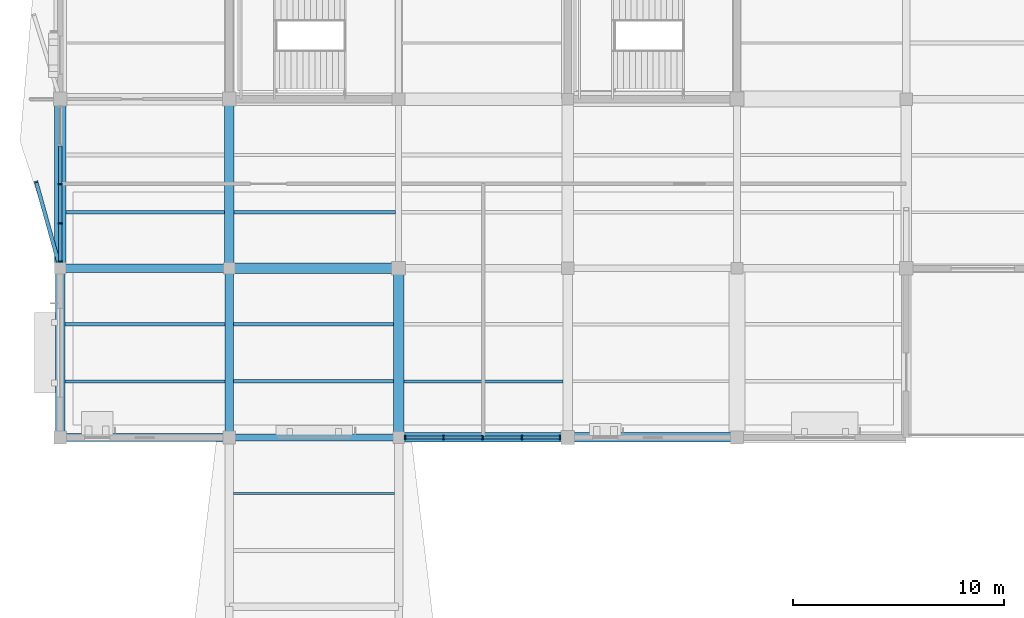
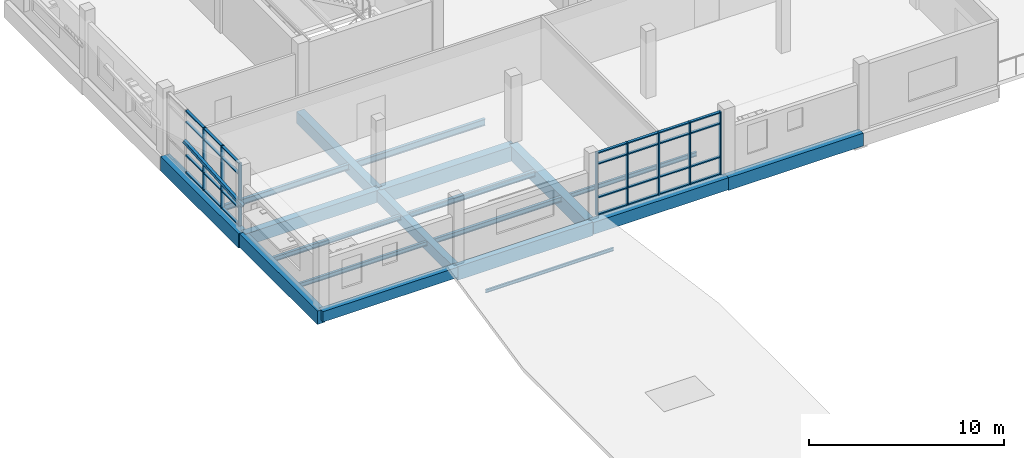
# One storey, part 15 of 72: 37 members, 19 beams, 2 elements without a shape of their own.
"""IFC4 building model written with IfcOpenShell, lengths in metres."""

from ifc_helpers import new_model, si_unit, direction, frame, origin, origin_2d, place, context, subcontext, project, spatial, rectangle, hollow_rectangle, i_section, extrude, material, material_profile, profile_set, type_object, element, aggregate, save


model = new_model("IFC4")

# Units and contexts
model_context = context("Model", 3, precision=1e-05, world=origin(), true_north=direction((0.0, 1.0)))
body_context = subcontext(model_context, "Body", "Model", "MODEL_VIEW")
ifc_project = project(units=[si_unit("LENGTHUNIT", "METRE"), si_unit("AREAUNIT", "SQUARE_METRE"), si_unit("VOLUMEUNIT", "CUBIC_METRE"), si_unit("PLANEANGLEUNIT", "RADIAN"), si_unit("MASSUNIT", "GRAM", prefix="KILO")], contexts=[model_context])

# Site, building, storey
site_placement = place(None, origin())
site = spatial("IfcSite", under=ifc_project, at=site_placement, CompositionType="ELEMENT")
building_placement = place(site_placement, origin())
building = spatial("IfcBuilding", under=site, at=building_placement, Name="Tenunan Teduh Sports Hall", CompositionType="ELEMENT")
storey_placement = place(building_placement, frame((0.0, 0.0, 15.0)))
storey = spatial("IfcBuildingStorey", under=building, at=storey_placement, Name="L03", CompositionType="ELEMENT", Elevation=15.0)

# Beams
ifc_material_1 = material(Name="Concrete C40/50", Category="concrete")
ifc_material_profile_1 = material_profile(ifc_material_1, rectangle(XDim=0.39990234375, YDim=0.64990234375, at=origin_2d()), Name="RCB 400x650")
ifc_profile_set_1 = profile_set([ifc_material_profile_1], Name="Concrete C40/50")
beam_type_1 = type_object("IfcBeamType", Name="BM-RC-400x650", PredefinedType="BEAM", material=ifc_profile_set_1)
beam_1_placement = place(storey_placement, frame((6.0, 78.0, -0.56494140625), z_axis=(1.0, 0.0, 0.0), x_axis=(0.0, 1.0, 0.0)))
element("IfcBeam", 1, at=beam_1_placement, inside=storey, type_object=beam_type_1, Name="BM-B-07-L03-1825", PredefinedType="BEAM", context=body_context, shape_type="SweptSolid", body=[
    extrude(rectangle(XDim=0.39990234375, YDim=0.64990234375, at=origin_2d()), origin(), (0.0, 0.0, 1.0), 8.0),
])
ifc_material_2 = material(Name="Concrete C40/50", Category="concrete")
ifc_material_profile_2 = material_profile(ifc_material_2, rectangle(XDim=0.39990234375, YDim=0.699951171875, at=origin_2d()), Name="RCB 400x700")
ifc_profile_set_2 = profile_set([ifc_material_profile_2], Name="Concrete C40/50")
beam_type_2 = type_object("IfcBeamType", Name="BM-RC-400x700", PredefinedType="BEAM", material=ifc_profile_set_2)
beam_2_placement = place(storey_placement, frame((14.0, 78.0, -0.590087890625), z_axis=(0.0, 1.0, 0.0), x_axis=(-1.0, 0.0, 0.0)))
element("IfcBeam", 2, at=beam_2_placement, inside=storey, type_object=beam_type_2, Name="BM-B-08-L03-1889", PredefinedType="BEAM", context=body_context, shape_type="SweptSolid", body=[
    extrude(rectangle(XDim=0.39990234375, YDim=0.699951171875, at=origin_2d()), origin(), (0.0, 0.0, 1.0), 8.0),
])
ifc_material_3 = material(Name="Concrete C40/50", Category="concrete")
ifc_material_profile_3 = material_profile(ifc_material_3, rectangle(XDim=0.39990234375, YDim=0.75, at=origin_2d()), Name="RCB 400x750")
ifc_profile_set_3 = profile_set([ifc_material_profile_3], Name="Concrete C40/50")
beam_type_3 = type_object("IfcBeamType", Name="BM-RC-400x750", PredefinedType="BEAM", material=ifc_profile_set_3)
beam_3_placement = place(storey_placement, frame((6.0, 86.0, -0.614990234375), z_axis=(1.0, 0.0, 0.0), x_axis=(0.0, 1.0, 0.0)))
element("IfcBeam", 3, at=beam_3_placement, inside=storey, type_object=beam_type_3, Name="BM-B-09-L03-1834", PredefinedType="BEAM", context=body_context, shape_type="SweptSolid", body=[
    extrude(rectangle(XDim=0.39990234375, YDim=0.75, at=origin_2d()), origin(), (0.0, 0.0, 1.0), 8.0),
])
ifc_material_4 = material(Name="Concrete C40/50", Category="concrete")
ifc_material_profile_4 = material_profile(ifc_material_4, rectangle(XDim=0.449951171875, YDim=0.75, at=origin_2d()), Name="RCB 450x750")
ifc_profile_set_4 = profile_set([ifc_material_profile_4], Name="Concrete C40/50")
beam_type_4 = type_object("IfcBeamType", Name="BM-RC-450x750", PredefinedType="BEAM", material=ifc_profile_set_4)
for number, where, z_axis, x_axis, name in (
    (4, (22.0, 78.0, -0.614990234375), (1.0, 0.0, 0.0), (0.0, 1.0, 0.0), "BM-B-11-L03-1827"),
    (5, (14.0, 86.0, -0.614990234375), (0.0, 1.0, 0.0), (-1.0, 0.0, 0.0), "BM-B-11-L03-1890"),
):
    element("IfcBeam", number, at=place(storey_placement, frame(where, z_axis=z_axis, x_axis=x_axis)), inside=storey, type_object=beam_type_4, Name=name, PredefinedType="BEAM", context=body_context, shape_type="SweptSolid", body=[
        extrude(rectangle(XDim=0.449951171875, YDim=0.75, at=origin_2d()), origin(), (0.0, 0.0, 1.0), 8.0),
    ])
ifc_material_5 = material(Name="Concrete C40/50", Category="concrete")
ifc_material_profile_5 = material_profile(ifc_material_5, rectangle(XDim=0.449951171875, YDim=0.800048828125, at=origin_2d()), Name="RCB 450x800")
ifc_profile_set_5 = profile_set([ifc_material_profile_5], Name="Concrete C40/50")
beam_type_5 = type_object("IfcBeamType", Name="BM-RC-450x800", PredefinedType="BEAM", material=ifc_profile_set_5)
beam_4_placement = place(storey_placement, frame((30.0, 78.0, -0.639892578125), z_axis=(1.0, 0.0, 0.0), x_axis=(0.0, 1.0, 0.0)))
element("IfcBeam", 6, at=beam_4_placement, inside=storey, type_object=beam_type_5, Name="BM-B-12-L03-1828", PredefinedType="BEAM", context=body_context, shape_type="SweptSolid", body=[
    extrude(rectangle(XDim=0.449951171875, YDim=0.800048828125, at=origin_2d()), origin(), (0.0, 0.0, 1.0), 8.0),
])
ifc_material_6 = material(Name="Concrete C40/50", Category="concrete")
ifc_material_profile_6 = material_profile(ifc_material_6, rectangle(XDim=0.449951171875, YDim=0.85009765625, at=origin_2d()), Name="RCB 450x850")
ifc_profile_set_6 = profile_set([ifc_material_profile_6], Name="Concrete C40/50")
beam_type_6 = type_object("IfcBeamType", Name="BM-RC-450x850", PredefinedType="BEAM", material=ifc_profile_set_6)
beam_5_placement = place(storey_placement, frame((6.0, 78.0, -0.6650390625), z_axis=(0.0, 1.0, 0.0), x_axis=(-1.0, 0.0, 0.0)))
element("IfcBeam", 7, at=beam_5_placement, inside=storey, type_object=beam_type_6, Name="BM-B-13-L03-1881", PredefinedType="BEAM", context=body_context, shape_type="SweptSolid", body=[
    extrude(rectangle(XDim=0.449951171875, YDim=0.85009765625, at=origin_2d()), origin(), (0.0, 0.0, 1.0), 8.0),
])
ifc_material_7 = material(Name="Concrete C40/50", Category="concrete")
ifc_material_profile_7 = material_profile(ifc_material_7, rectangle(XDim=0.5, YDim=0.89990234375, at=origin_2d()), Name="RCB 500x900")
ifc_profile_set_7 = profile_set([ifc_material_profile_7], Name="Concrete C40/50")
beam_type_7 = type_object("IfcBeamType", Name="BM-RC-500x900", PredefinedType="BEAM", material=ifc_profile_set_7)
for number, where, z_axis, x_axis, name in (
    (8, (14.0, 86.0, -0.68994140625), (1.0, 0.0, 0.0), (0.0, 1.0, 0.0), "BM-B-15-L03-1835"),
    (9, (22.0, 78.0, -0.68994140625), (0.0, 1.0, 0.0), (-1.0, 0.0, 0.0), "BM-B-15-L03-1898"),
):
    element("IfcBeam", number, at=place(storey_placement, frame(where, z_axis=z_axis, x_axis=x_axis)), inside=storey, type_object=beam_type_7, Name=name, PredefinedType="BEAM", context=body_context, shape_type="SweptSolid", body=[
        extrude(rectangle(XDim=0.5, YDim=0.89990234375, at=origin_2d()), origin(), (0.0, 0.0, 1.0), 8.0),
    ])
ifc_material_8 = material(Name="Concrete C40/50", Category="concrete")
ifc_material_profile_8 = material_profile(ifc_material_8, rectangle(XDim=0.550048828125, YDim=0.89990234375, at=origin_2d()), Name="RCB 550x900")
ifc_profile_set_8 = profile_set([ifc_material_profile_8], Name="Concrete C40/50")
beam_type_8 = type_object("IfcBeamType", Name="BM-RC-550x900", PredefinedType="BEAM", material=ifc_profile_set_8)
beam_6_placement = place(storey_placement, frame((6.0, 86.0, -0.68994140625), z_axis=(0.0, 1.0, 0.0), x_axis=(-1.0, 0.0, 0.0)))
element("IfcBeam", 10, at=beam_6_placement, inside=storey, type_object=beam_type_8, Name="BM-B-16-L03-1882", PredefinedType="BEAM", context=body_context, shape_type="SweptSolid", body=[
    extrude(rectangle(XDim=0.550048828125, YDim=0.89990234375, at=origin_2d()), origin(), (0.0, 0.0, 1.0), 8.0),
])
ifc_material_9 = material(Name="Concrete C40/50", Category="concrete")
ifc_material_profile_9 = material_profile(ifc_material_9, rectangle(XDim=0.35009765625, YDim=0.85009765625, at=origin_2d()), Name="SPB 350x850")
ifc_profile_set_9 = profile_set([ifc_material_profile_9], Name="Concrete C40/50")
beam_type_9 = type_object("IfcBeamType", Name="BM-SP-350x850", PredefinedType="SPANDREL", material=ifc_profile_set_9)
beam_7_placement = place(storey_placement, frame((14.0, 78.0, -0.6650390625), z_axis=(1.0, 0.0, 0.0), x_axis=(0.0, 1.0, 0.0)))
element("IfcBeam", 11, at=beam_7_placement, inside=storey, type_object=beam_type_9, Name="BM-SP-02-L03-1826", PredefinedType="SPANDREL", context=body_context, shape_type="SweptSolid", body=[
    extrude(rectangle(XDim=0.35009765625, YDim=0.85009765625, at=origin_2d()), origin(), (0.0, 0.0, 1.0), 8.0),
])

# Curtain wall, members
ifc_material_10 = material(Name="Anodised aluminium", Category="aluminium")
curtain_wall_type = type_object("IfcCurtainWallType", Name="CW-UNIT-2", PredefinedType="NOTDEFINED", material=ifc_material_10)
curtain_wall_1_placement = place(storey_placement, origin())
curtain_wall_1 = element("IfcCurtainWall", 12, at=curtain_wall_1_placement, inside=storey, type_object=curtain_wall_type, Name="CW-CWM-200-L03-220", PredefinedType="NOTDEFINED")
ifc_material_11 = material(Name="Anodised aluminium", Category="aluminium")
ifc_material_profile_10 = material_profile(ifc_material_11, rectangle(XDim=0.070068359375, YDim=0.199951171875, at=origin_2d()), Name="CWM 70x200")
ifc_profile_set_10 = profile_set([ifc_material_profile_10], Name="Anodised aluminium")
member_type_1 = type_object("IfcMemberType", Name="CWM-200", PredefinedType="MULLION", material=ifc_profile_set_10)
member_1_placement = place(storey_placement, frame((22.31005859375, 78.0, 0.0), z_axis=(0.0, 0.0, 1.0), x_axis=(1.0, 0.0, 0.0)))
member_1 = element("IfcMember", 13, at=member_1_placement, type_object=member_type_1, Name="CW-02 mullion 1", PredefinedType="MULLION", context=body_context, shape_type="SweptSolid", body=[
    extrude(rectangle(XDim=0.070068359375, YDim=0.199951171875, at=origin_2d()), origin(), (0.0, 0.0, 1.0), 3.919921875),
])
member_2_placement = place(storey_placement, frame((24.125, 78.0, 0.0), z_axis=(0.0, 0.0, 1.0), x_axis=(1.0, 0.0, 0.0)))
member_2 = element("IfcMember", 14, at=member_2_placement, type_object=member_type_1, Name="CW-02 mullion 2", PredefinedType="MULLION", context=body_context, shape_type="SweptSolid", body=[
    extrude(rectangle(XDim=0.070068359375, YDim=0.199951171875, at=origin_2d()), origin(), (0.0, 0.0, 1.0), 3.919921875),
])
member_3_placement = place(storey_placement, frame((25.97509765625, 78.0, 0.0), z_axis=(0.0, 0.0, 1.0), x_axis=(1.0, 0.0, 0.0)))
member_3 = element("IfcMember", 15, at=member_3_placement, type_object=member_type_1, Name="CW-02 mullion 3", PredefinedType="MULLION", context=body_context, shape_type="SweptSolid", body=[
    extrude(rectangle(XDim=0.070068359375, YDim=0.199951171875, at=origin_2d()), origin(), (0.0, 0.0, 1.0), 3.919921875),
])
member_4_placement = place(storey_placement, frame((27.824951171875, 78.0, 0.0), z_axis=(0.0, 0.0, 1.0), x_axis=(1.0, 0.0, 0.0)))
member_4 = element("IfcMember", 16, at=member_4_placement, type_object=member_type_1, Name="CW-02 mullion 4", PredefinedType="MULLION", context=body_context, shape_type="SweptSolid", body=[
    extrude(rectangle(XDim=0.070068359375, YDim=0.199951171875, at=origin_2d()), origin(), (0.0, 0.0, 1.0), 3.919921875),
])
member_5_placement = place(storey_placement, frame((29.639892578125, 78.0, 0.0), z_axis=(0.0, 0.0, 1.0), x_axis=(1.0, 0.0, 0.0)))
member_5 = element("IfcMember", 17, at=member_5_placement, type_object=member_type_1, Name="CW-02 mullion 5", PredefinedType="MULLION", context=body_context, shape_type="SweptSolid", body=[
    extrude(rectangle(XDim=0.070068359375, YDim=0.199951171875, at=origin_2d()), origin(), (0.0, 0.0, 1.0), 3.919921875),
])

curtain_wall_2_placement = place(storey_placement, origin())
curtain_wall_2 = element("IfcCurtainWall", 18, at=curtain_wall_2_placement, inside=storey, type_object=curtain_wall_type, Name="CW-CWM-200-L03-228", PredefinedType="NOTDEFINED")
member_6_placement = place(storey_placement, frame((6.0, 86.31005859375, 0.0), z_axis=(0.0, 0.0, 1.0), x_axis=(0.0, 1.0, 0.0)))
member_6 = element("IfcMember", 19, at=member_6_placement, type_object=member_type_1, Name="CW-02 mullion 1", PredefinedType="MULLION", context=body_context, shape_type="SweptSolid", body=[
    extrude(rectangle(XDim=0.070068359375, YDim=0.199951171875, at=origin_2d()), origin(), (0.0, 0.0, 1.0), 3.919921875),
])
member_7_placement = place(storey_placement, frame((6.0, 88.125, 0.0), z_axis=(0.0, 0.0, 1.0), x_axis=(0.0, 1.0, 0.0)))
member_7 = element("IfcMember", 20, at=member_7_placement, type_object=member_type_1, Name="CW-02 mullion 2", PredefinedType="MULLION", context=body_context, shape_type="SweptSolid", body=[
    extrude(rectangle(XDim=0.070068359375, YDim=0.199951171875, at=origin_2d()), origin(), (0.0, 0.0, 1.0), 3.919921875),
])
member_8_placement = place(storey_placement, frame((6.0, 89.97509765625, 0.0), z_axis=(0.0, 0.0, 1.0), x_axis=(0.0, 1.0, 0.0)))
member_8 = element("IfcMember", 21, at=member_8_placement, type_object=member_type_1, Name="CW-02 mullion 3", PredefinedType="MULLION", context=body_context, shape_type="SweptSolid", body=[
    extrude(rectangle(XDim=0.070068359375, YDim=0.199951171875, at=origin_2d()), origin(), (0.0, 0.0, 1.0), 3.919921875),
])

# Member
ifc_material_12 = material(Name="Anodised aluminium", Category="aluminium")
ifc_material_profile_11 = material_profile(ifc_material_12, rectangle(XDim=0.070068359375, YDim=0.159912109375, at=origin_2d()), Name="CWT 70x160")
ifc_profile_set_11 = profile_set([ifc_material_profile_11], Name="Anodised aluminium")
member_type_2 = type_object("IfcMemberType", Name="CWT-200", PredefinedType="USERDEFINED", material=ifc_profile_set_11)
member_9_placement = place(storey_placement, frame((22.344970703125, 78.0, 0.034912109375), z_axis=(1.0, 0.0, 0.0), x_axis=(0.0, 0.0, 1.0)))
member_9 = element("IfcMember", 22, at=member_9_placement, type_object=member_type_2, Name="CW-02 transom 1.1", ObjectType="TRANSOM", PredefinedType="USERDEFINED", context=body_context, shape_type="SweptSolid", body=[
    extrude(rectangle(XDim=0.070068359375, YDim=0.159912109375, at=origin_2d()), origin(), (0.0, 0.0, 1.0), 1.7451171875),
])

member_10_placement = place(storey_placement, frame((22.344970703125, 78.0, 1.10009765625), z_axis=(1.0, 0.0, 0.0), x_axis=(0.0, 0.0, 1.0)))
member_10 = element("IfcMember", 23, at=member_10_placement, type_object=member_type_2, Name="CW-02 transom 1.2", ObjectType="TRANSOM", PredefinedType="USERDEFINED", context=body_context, shape_type="SweptSolid", body=[
    extrude(rectangle(XDim=0.070068359375, YDim=0.159912109375, at=origin_2d()), origin(), (0.0, 0.0, 1.0), 1.7451171875),
])

member_11_placement = place(storey_placement, frame((22.344970703125, 78.0, 3.199951171875), z_axis=(1.0, 0.0, 0.0), x_axis=(0.0, 0.0, 1.0)))
member_11 = element("IfcMember", 24, at=member_11_placement, type_object=member_type_2, Name="CW-02 transom 1.3", ObjectType="TRANSOM", PredefinedType="USERDEFINED", context=body_context, shape_type="SweptSolid", body=[
    extrude(rectangle(XDim=0.070068359375, YDim=0.159912109375, at=origin_2d()), origin(), (0.0, 0.0, 1.0), 1.7451171875),
])

member_12_placement = place(storey_placement, frame((22.344970703125, 78.0, 3.885009765625), z_axis=(1.0, 0.0, 0.0), x_axis=(0.0, 0.0, 1.0)))
member_12 = element("IfcMember", 25, at=member_12_placement, type_object=member_type_2, Name="CW-02 transom 1.4", ObjectType="TRANSOM", PredefinedType="USERDEFINED", context=body_context, shape_type="SweptSolid", body=[
    extrude(rectangle(XDim=0.070068359375, YDim=0.159912109375, at=origin_2d()), origin(), (0.0, 0.0, 1.0), 1.7451171875),
])

member_13_placement = place(storey_placement, frame((24.159912109375, 78.0, 0.034912109375), z_axis=(1.0, 0.0, 0.0), x_axis=(0.0, 0.0, 1.0)))
member_13 = element("IfcMember", 26, at=member_13_placement, type_object=member_type_2, Name="CW-02 transom 2.1", ObjectType="TRANSOM", PredefinedType="USERDEFINED", context=body_context, shape_type="SweptSolid", body=[
    extrude(rectangle(XDim=0.070068359375, YDim=0.159912109375, at=origin_2d()), origin(), (0.0, 0.0, 1.0), 1.780029296875),
])

member_14_placement = place(storey_placement, frame((24.159912109375, 78.0, 1.10009765625), z_axis=(1.0, 0.0, 0.0), x_axis=(0.0, 0.0, 1.0)))
member_14 = element("IfcMember", 27, at=member_14_placement, type_object=member_type_2, Name="CW-02 transom 2.2", ObjectType="TRANSOM", PredefinedType="USERDEFINED", context=body_context, shape_type="SweptSolid", body=[
    extrude(rectangle(XDim=0.070068359375, YDim=0.159912109375, at=origin_2d()), origin(), (0.0, 0.0, 1.0), 1.780029296875),
])

member_15_placement = place(storey_placement, frame((24.159912109375, 78.0, 3.199951171875), z_axis=(1.0, 0.0, 0.0), x_axis=(0.0, 0.0, 1.0)))
member_15 = element("IfcMember", 28, at=member_15_placement, type_object=member_type_2, Name="CW-02 transom 2.3", ObjectType="TRANSOM", PredefinedType="USERDEFINED", context=body_context, shape_type="SweptSolid", body=[
    extrude(rectangle(XDim=0.070068359375, YDim=0.159912109375, at=origin_2d()), origin(), (0.0, 0.0, 1.0), 1.780029296875),
])

member_16_placement = place(storey_placement, frame((24.159912109375, 78.0, 3.885009765625), z_axis=(1.0, 0.0, 0.0), x_axis=(0.0, 0.0, 1.0)))
member_16 = element("IfcMember", 29, at=member_16_placement, type_object=member_type_2, Name="CW-02 transom 2.4", ObjectType="TRANSOM", PredefinedType="USERDEFINED", context=body_context, shape_type="SweptSolid", body=[
    extrude(rectangle(XDim=0.070068359375, YDim=0.159912109375, at=origin_2d()), origin(), (0.0, 0.0, 1.0), 1.780029296875),
])

member_17_placement = place(storey_placement, frame((26.010009765625, 78.0, 0.034912109375), z_axis=(1.0, 0.0, 0.0), x_axis=(0.0, 0.0, 1.0)))
member_17 = element("IfcMember", 30, at=member_17_placement, type_object=member_type_2, Name="CW-02 transom 3.1", ObjectType="TRANSOM", PredefinedType="USERDEFINED", context=body_context, shape_type="SweptSolid", body=[
    extrude(rectangle(XDim=0.070068359375, YDim=0.159912109375, at=origin_2d()), origin(), (0.0, 0.0, 1.0), 1.780029296875),
])

member_18_placement = place(storey_placement, frame((26.010009765625, 78.0, 1.10009765625), z_axis=(1.0, 0.0, 0.0), x_axis=(0.0, 0.0, 1.0)))
member_18 = element("IfcMember", 31, at=member_18_placement, type_object=member_type_2, Name="CW-02 transom 3.2", ObjectType="TRANSOM", PredefinedType="USERDEFINED", context=body_context, shape_type="SweptSolid", body=[
    extrude(rectangle(XDim=0.070068359375, YDim=0.159912109375, at=origin_2d()), origin(), (0.0, 0.0, 1.0), 1.780029296875),
])

member_19_placement = place(storey_placement, frame((26.010009765625, 78.0, 3.199951171875), z_axis=(1.0, 0.0, 0.0), x_axis=(0.0, 0.0, 1.0)))
member_19 = element("IfcMember", 32, at=member_19_placement, type_object=member_type_2, Name="CW-02 transom 3.3", ObjectType="TRANSOM", PredefinedType="USERDEFINED", context=body_context, shape_type="SweptSolid", body=[
    extrude(rectangle(XDim=0.070068359375, YDim=0.159912109375, at=origin_2d()), origin(), (0.0, 0.0, 1.0), 1.780029296875),
])

member_20_placement = place(storey_placement, frame((26.010009765625, 78.0, 3.885009765625), z_axis=(1.0, 0.0, 0.0), x_axis=(0.0, 0.0, 1.0)))
member_20 = element("IfcMember", 33, at=member_20_placement, type_object=member_type_2, Name="CW-02 transom 3.4", ObjectType="TRANSOM", PredefinedType="USERDEFINED", context=body_context, shape_type="SweptSolid", body=[
    extrude(rectangle(XDim=0.070068359375, YDim=0.159912109375, at=origin_2d()), origin(), (0.0, 0.0, 1.0), 1.780029296875),
])

member_21_placement = place(storey_placement, frame((27.860107421875, 78.0, 0.034912109375), z_axis=(1.0, 0.0, 0.0), x_axis=(0.0, 0.0, 1.0)))
member_21 = element("IfcMember", 34, at=member_21_placement, type_object=member_type_2, Name="CW-02 transom 4.1", ObjectType="TRANSOM", PredefinedType="USERDEFINED", context=body_context, shape_type="SweptSolid", body=[
    extrude(rectangle(XDim=0.070068359375, YDim=0.159912109375, at=origin_2d()), origin(), (0.0, 0.0, 1.0), 1.744873046875),
])

member_22_placement = place(storey_placement, frame((27.860107421875, 78.0, 1.10009765625), z_axis=(1.0, 0.0, 0.0), x_axis=(0.0, 0.0, 1.0)))
member_22 = element("IfcMember", 35, at=member_22_placement, type_object=member_type_2, Name="CW-02 transom 4.2", ObjectType="TRANSOM", PredefinedType="USERDEFINED", context=body_context, shape_type="SweptSolid", body=[
    extrude(rectangle(XDim=0.070068359375, YDim=0.159912109375, at=origin_2d()), origin(), (0.0, 0.0, 1.0), 1.744873046875),
])

member_23_placement = place(storey_placement, frame((27.860107421875, 78.0, 3.199951171875), z_axis=(1.0, 0.0, 0.0), x_axis=(0.0, 0.0, 1.0)))
member_23 = element("IfcMember", 36, at=member_23_placement, type_object=member_type_2, Name="CW-02 transom 4.3", ObjectType="TRANSOM", PredefinedType="USERDEFINED", context=body_context, shape_type="SweptSolid", body=[
    extrude(rectangle(XDim=0.070068359375, YDim=0.159912109375, at=origin_2d()), origin(), (0.0, 0.0, 1.0), 1.744873046875),
])

member_24_placement = place(storey_placement, frame((27.860107421875, 78.0, 3.885009765625), z_axis=(1.0, 0.0, 0.0), x_axis=(0.0, 0.0, 1.0)))
member_24 = element("IfcMember", 37, at=member_24_placement, type_object=member_type_2, Name="CW-02 transom 4.4", ObjectType="TRANSOM", PredefinedType="USERDEFINED", context=body_context, shape_type="SweptSolid", body=[
    extrude(rectangle(XDim=0.070068359375, YDim=0.159912109375, at=origin_2d()), origin(), (0.0, 0.0, 1.0), 1.744873046875),
])

aggregate(curtain_wall_1, [member_1, member_2, member_3, member_4, member_5, member_9, member_10, member_11, member_12, member_13, member_14, member_15, member_16, member_17, member_18, member_19, member_20, member_21, member_22, member_23, member_24])

member_25_placement = place(storey_placement, frame((6.0, 86.344970703125, 0.034912109375), z_axis=(0.0, 1.0, 0.0), x_axis=(0.0, 0.0, 1.0)))
member_25 = element("IfcMember", 38, at=member_25_placement, type_object=member_type_2, Name="CW-02 transom 1.1", ObjectType="TRANSOM", PredefinedType="USERDEFINED", context=body_context, shape_type="SweptSolid", body=[
    extrude(rectangle(XDim=0.070068359375, YDim=0.159912109375, at=origin_2d()), origin(), (0.0, 0.0, 1.0), 1.7451171875),
])

member_26_placement = place(storey_placement, frame((6.0, 86.344970703125, 1.10009765625), z_axis=(0.0, 1.0, 0.0), x_axis=(0.0, 0.0, 1.0)))
member_26 = element("IfcMember", 39, at=member_26_placement, type_object=member_type_2, Name="CW-02 transom 1.2", ObjectType="TRANSOM", PredefinedType="USERDEFINED", context=body_context, shape_type="SweptSolid", body=[
    extrude(rectangle(XDim=0.070068359375, YDim=0.159912109375, at=origin_2d()), origin(), (0.0, 0.0, 1.0), 1.7451171875),
])

member_27_placement = place(storey_placement, frame((6.0, 86.344970703125, 3.199951171875), z_axis=(0.0, 1.0, 0.0), x_axis=(0.0, 0.0, 1.0)))
member_27 = element("IfcMember", 40, at=member_27_placement, type_object=member_type_2, Name="CW-02 transom 1.3", ObjectType="TRANSOM", PredefinedType="USERDEFINED", context=body_context, shape_type="SweptSolid", body=[
    extrude(rectangle(XDim=0.070068359375, YDim=0.159912109375, at=origin_2d()), origin(), (0.0, 0.0, 1.0), 1.7451171875),
])

member_28_placement = place(storey_placement, frame((6.0, 86.344970703125, 3.885009765625), z_axis=(0.0, 1.0, 0.0), x_axis=(0.0, 0.0, 1.0)))
member_28 = element("IfcMember", 41, at=member_28_placement, type_object=member_type_2, Name="CW-02 transom 1.4", ObjectType="TRANSOM", PredefinedType="USERDEFINED", context=body_context, shape_type="SweptSolid", body=[
    extrude(rectangle(XDim=0.070068359375, YDim=0.159912109375, at=origin_2d()), origin(), (0.0, 0.0, 1.0), 1.7451171875),
])

member_29_placement = place(storey_placement, frame((6.0, 88.159912109375, 0.034912109375), z_axis=(0.0, 1.0, 0.0), x_axis=(0.0, 0.0, 1.0)))
member_29 = element("IfcMember", 42, at=member_29_placement, type_object=member_type_2, Name="CW-02 transom 2.1", ObjectType="TRANSOM", PredefinedType="USERDEFINED", context=body_context, shape_type="SweptSolid", body=[
    extrude(rectangle(XDim=0.070068359375, YDim=0.159912109375, at=origin_2d()), origin(), (0.0, 0.0, 1.0), 1.780029296875),
])

member_30_placement = place(storey_placement, frame((6.0, 88.159912109375, 1.10009765625), z_axis=(0.0, 1.0, 0.0), x_axis=(0.0, 0.0, 1.0)))
member_30 = element("IfcMember", 43, at=member_30_placement, type_object=member_type_2, Name="CW-02 transom 2.2", ObjectType="TRANSOM", PredefinedType="USERDEFINED", context=body_context, shape_type="SweptSolid", body=[
    extrude(rectangle(XDim=0.070068359375, YDim=0.159912109375, at=origin_2d()), origin(), (0.0, 0.0, 1.0), 1.780029296875),
])

member_31_placement = place(storey_placement, frame((6.0, 88.159912109375, 3.199951171875), z_axis=(0.0, 1.0, 0.0), x_axis=(0.0, 0.0, 1.0)))
member_31 = element("IfcMember", 44, at=member_31_placement, type_object=member_type_2, Name="CW-02 transom 2.3", ObjectType="TRANSOM", PredefinedType="USERDEFINED", context=body_context, shape_type="SweptSolid", body=[
    extrude(rectangle(XDim=0.070068359375, YDim=0.159912109375, at=origin_2d()), origin(), (0.0, 0.0, 1.0), 1.780029296875),
])

member_32_placement = place(storey_placement, frame((6.0, 88.159912109375, 3.885009765625), z_axis=(0.0, 1.0, 0.0), x_axis=(0.0, 0.0, 1.0)))
member_32 = element("IfcMember", 45, at=member_32_placement, type_object=member_type_2, Name="CW-02 transom 2.4", ObjectType="TRANSOM", PredefinedType="USERDEFINED", context=body_context, shape_type="SweptSolid", body=[
    extrude(rectangle(XDim=0.070068359375, YDim=0.159912109375, at=origin_2d()), origin(), (0.0, 0.0, 1.0), 1.780029296875),
])

member_33_placement = place(storey_placement, frame((6.0, 90.010009765625, 0.034912109375), z_axis=(0.0, 1.0, 0.0), x_axis=(0.0, 0.0, 1.0)))
member_33 = element("IfcMember", 46, at=member_33_placement, type_object=member_type_2, Name="CW-02 transom 3.1", ObjectType="TRANSOM", PredefinedType="USERDEFINED", context=body_context, shape_type="SweptSolid", body=[
    extrude(rectangle(XDim=0.070068359375, YDim=0.159912109375, at=origin_2d()), origin(), (0.0, 0.0, 1.0), 1.780029296875),
])

member_34_placement = place(storey_placement, frame((6.0, 90.010009765625, 1.10009765625), z_axis=(0.0, 1.0, 0.0), x_axis=(0.0, 0.0, 1.0)))
member_34 = element("IfcMember", 47, at=member_34_placement, type_object=member_type_2, Name="CW-02 transom 3.2", ObjectType="TRANSOM", PredefinedType="USERDEFINED", context=body_context, shape_type="SweptSolid", body=[
    extrude(rectangle(XDim=0.070068359375, YDim=0.159912109375, at=origin_2d()), origin(), (0.0, 0.0, 1.0), 1.780029296875),
])

member_35_placement = place(storey_placement, frame((6.0, 90.010009765625, 3.199951171875), z_axis=(0.0, 1.0, 0.0), x_axis=(0.0, 0.0, 1.0)))
member_35 = element("IfcMember", 48, at=member_35_placement, type_object=member_type_2, Name="CW-02 transom 3.3", ObjectType="TRANSOM", PredefinedType="USERDEFINED", context=body_context, shape_type="SweptSolid", body=[
    extrude(rectangle(XDim=0.070068359375, YDim=0.159912109375, at=origin_2d()), origin(), (0.0, 0.0, 1.0), 1.780029296875),
])

member_36_placement = place(storey_placement, frame((6.0, 90.010009765625, 3.885009765625), z_axis=(0.0, 1.0, 0.0), x_axis=(0.0, 0.0, 1.0)))
member_36 = element("IfcMember", 49, at=member_36_placement, type_object=member_type_2, Name="CW-02 transom 3.4", ObjectType="TRANSOM", PredefinedType="USERDEFINED", context=body_context, shape_type="SweptSolid", body=[
    extrude(rectangle(XDim=0.070068359375, YDim=0.159912109375, at=origin_2d()), origin(), (0.0, 0.0, 1.0), 1.780029296875),
])

aggregate(curtain_wall_2, [member_6, member_7, member_8, member_25, member_26, member_27, member_28, member_29, member_30, member_31, member_32, member_33, member_34, member_35, member_36])

# Beams
ifc_material_13 = material(Name="Steel S355", Category="steel")
ifc_material_profile_12 = material_profile(ifc_material_13, i_section(OverallWidth=0.10009765625, OverallDepth=0.199951171875, WebThickness=0.005615234375, FlangeThickness=0.008544921875, FilletRadius=0.011962890625, at=origin_2d()), Name="IPE 200")
ifc_profile_set_12 = profile_set([ifc_material_profile_12], Name="Steel S355")
beam_type_10 = type_object("IfcBeamType", Name="JST-IPE200", PredefinedType="JOIST", material=ifc_profile_set_12)
beam_8_placement = place(storey_placement, frame((14.199951171875, 75.35009765625, -0.340087890625), z_axis=(1.0, 0.0, 0.0), x_axis=(0.0, 1.0, 0.0)))
element("IfcBeam", 50, at=beam_8_placement, inside=storey, type_object=beam_type_10, Name="BM-J-01-L03-1961", PredefinedType="JOIST", context=body_context, shape_type="SweptSolid", body=[
    extrude(i_section(OverallWidth=0.10009765625, OverallDepth=0.199951171875, WebThickness=0.005615234375, FlangeThickness=0.008544921875, FilletRadius=0.011962890625, at=origin_2d()), origin(), (0.0, 0.0, 1.0), 7.60009765625),
])
ifc_material_14 = material(Name="Steel S355", Category="steel")
ifc_material_profile_13 = material_profile(ifc_material_14, i_section(OverallWidth=0.135009765625, OverallDepth=0.27001953125, WebThickness=0.006591796875, FlangeThickness=0.01025390625, FilletRadius=0.014892578125, at=origin_2d()), Name="IPE 270")
ifc_profile_set_13 = profile_set([ifc_material_profile_13], Name="Steel S355")
beam_type_11 = type_object("IfcBeamType", Name="JST-IPE270", PredefinedType="JOIST", material=ifc_profile_set_13)
beam_9_placement = place(storey_placement, frame((6.22509765625, 80.64990234375, -0.375), z_axis=(1.0, 0.0, 0.0), x_axis=(0.0, 1.0, 0.0)))
element("IfcBeam", 51, at=beam_9_placement, inside=storey, type_object=beam_type_11, Name="BM-J-03-L03-1946", PredefinedType="JOIST", context=body_context, shape_type="SweptSolid", body=[
    extrude(i_section(OverallWidth=0.135009765625, OverallDepth=0.27001953125, WebThickness=0.006591796875, FlangeThickness=0.01025390625, FilletRadius=0.014892578125, at=origin_2d()), origin(), (0.0, 0.0, 1.0), 7.574951171875),
])
beam_10_placement = place(storey_placement, frame((22.25, 80.64990234375, -0.375), z_axis=(1.0, 0.0, 0.0), x_axis=(0.0, 1.0, 0.0)))
element("IfcBeam", 52, at=beam_10_placement, inside=storey, type_object=beam_type_11, Name="BM-J-03-L03-1968", PredefinedType="JOIST", context=body_context, shape_type="SweptSolid", body=[
    extrude(i_section(OverallWidth=0.135009765625, OverallDepth=0.27001953125, WebThickness=0.006591796875, FlangeThickness=0.01025390625, FilletRadius=0.014892578125, at=origin_2d()), origin(), (0.0, 0.0, 1.0), 7.52490234375),
])
ifc_material_15 = material(Name="Steel S355", Category="steel")
ifc_material_profile_14 = material_profile(ifc_material_15, i_section(OverallWidth=0.14990234375, OverallDepth=0.300048828125, WebThickness=0.007080078125, FlangeThickness=0.0107421875, FilletRadius=0.014892578125, at=origin_2d()), Name="IPE 300")
ifc_profile_set_14 = profile_set([ifc_material_profile_14], Name="Steel S355")
beam_type_12 = type_object("IfcBeamType", Name="JST-IPE300", PredefinedType="JOIST", material=ifc_profile_set_14)
beam_11_placement = place(storey_placement, frame((6.22509765625, 83.35009765625, -0.389892578125), z_axis=(1.0, 0.0, 0.0), x_axis=(0.0, 1.0, 0.0)))
element("IfcBeam", 53, at=beam_11_placement, inside=storey, type_object=beam_type_12, Name="BM-J-04-L03-1947", PredefinedType="JOIST", context=body_context, shape_type="SweptSolid", body=[
    extrude(i_section(OverallWidth=0.14990234375, OverallDepth=0.300048828125, WebThickness=0.007080078125, FlangeThickness=0.0107421875, FilletRadius=0.014892578125, at=origin_2d()), origin(), (0.0, 0.0, 1.0), 7.574951171875),
])
ifc_material_16 = material(Name="Steel S355", Category="steel")
ifc_material_profile_15 = material_profile(ifc_material_16, i_section(OverallWidth=0.169921875, OverallDepth=0.360107421875, WebThickness=0.008056640625, FlangeThickness=0.0126953125, FilletRadius=0.01806640625, at=origin_2d()), Name="IPE 360")
ifc_profile_set_15 = profile_set([ifc_material_profile_15], Name="Steel S355")
beam_type_13 = type_object("IfcBeamType", Name="JST-IPE360", PredefinedType="JOIST", material=ifc_profile_set_15)
beam_12_placement = place(storey_placement, frame((6.27490234375, 88.64990234375, -0.419921875), z_axis=(1.0, 0.0, 0.0), x_axis=(0.0, 1.0, 0.0)))
element("IfcBeam", 54, at=beam_12_placement, inside=storey, type_object=beam_type_13, Name="BM-J-05-L03-1948", PredefinedType="JOIST", context=body_context, shape_type="SweptSolid", body=[
    extrude(i_section(OverallWidth=0.169921875, OverallDepth=0.360107421875, WebThickness=0.008056640625, FlangeThickness=0.0126953125, FilletRadius=0.01806640625, at=origin_2d()), origin(), (0.0, 0.0, 1.0), 7.5),
])

# Member
ifc_material_17 = material(Name="Steel S355", Category="steel")
ifc_material_profile_16 = material_profile(ifc_material_17, hollow_rectangle(XDim=0.179931640625, YDim=0.179931640625, WallThickness=0.010009765625, at=origin_2d()), Name="SHS 180x180x10.0")
ifc_profile_set_16 = profile_set([ifc_material_profile_16], Name="Steel S355")
member_type_3 = type_object("IfcMemberType", Name="MEM-ST-SHS180", PredefinedType="STRUT", material=ifc_profile_set_16)
member_37_placement = place(storey_placement, frame((6.0, 86.0, 1.39990234375), z_axis=(-0.241858626479, 0.869838781694, 0.429982439941), x_axis=(-0.963450257476, -0.267887292287, 0.0)))
element("IfcMember", 55, at=member_37_placement, inside=storey, type_object=member_type_3, Name="MEM-VS-03-L03-1270", PredefinedType="STRUT", context=body_context, shape_type="SweptSolid", body=[
    extrude(hollow_rectangle(XDim=0.179931640625, YDim=0.179931640625, WallThickness=0.010009765625, at=origin_2d()), origin(), (0.0, 0.0, 1.0), 4.697998046875),
])

# Beams
ifc_material_18 = material(Name="Steel S355", Category="steel")
ifc_material_profile_17 = material_profile(ifc_material_18, i_section(OverallWidth=0.1650390625, OverallDepth=0.303466796875, WebThickness=0.006103515625, FlangeThickness=0.01025390625, FilletRadius=0.0087890625, at=origin_2d()), Name="UKB 305x165x40")
ifc_profile_set_17 = profile_set([ifc_material_profile_17], Name="Steel S355")
beam_type_14 = type_object("IfcBeamType", Name="SBM-UKB305", PredefinedType="BEAM", material=ifc_profile_set_17)
beam_13_placement = place(storey_placement, frame((14.199951171875, 80.64990234375, -0.3916015625), z_axis=(1.0, 0.0, 0.0), x_axis=(0.0, 1.0, 0.0)))
element("IfcBeam", 56, at=beam_13_placement, inside=storey, type_object=beam_type_14, Name="BM-SB-01-L03-1962", PredefinedType="BEAM", context=body_context, shape_type="SweptSolid", body=[
    extrude(i_section(OverallWidth=0.1650390625, OverallDepth=0.303466796875, WebThickness=0.006103515625, FlangeThickness=0.01025390625, FilletRadius=0.0087890625, at=origin_2d()), origin(), (0.0, 0.0, 1.0), 7.550048828125),
])
ifc_material_19 = material(Name="Steel S355", Category="steel")
ifc_material_profile_18 = material_profile(ifc_material_19, i_section(OverallWidth=0.17138671875, OverallDepth=0.35498046875, WebThickness=0.00732421875, FlangeThickness=0.011474609375, FilletRadius=0.01025390625, at=origin_2d()), Name="UKB 356x171x51")
ifc_profile_set_18 = profile_set([ifc_material_profile_18], Name="Steel S355")
beam_type_15 = type_object("IfcBeamType", Name="SBM-UKB356", PredefinedType="BEAM", material=ifc_profile_set_18)
beam_14_placement = place(storey_placement, frame((14.199951171875, 83.35009765625, -0.41748046875), z_axis=(1.0, 0.0, 0.0), x_axis=(0.0, 1.0, 0.0)))
element("IfcBeam", 57, at=beam_14_placement, inside=storey, type_object=beam_type_15, Name="BM-SB-02-L03-1963", PredefinedType="BEAM", context=body_context, shape_type="SweptSolid", body=[
    extrude(i_section(OverallWidth=0.17138671875, OverallDepth=0.35498046875, WebThickness=0.00732421875, FlangeThickness=0.011474609375, FilletRadius=0.01025390625, at=origin_2d()), origin(), (0.0, 0.0, 1.0), 7.550048828125),
])
ifc_material_20 = material(Name="Steel S355", Category="steel")
ifc_material_profile_19 = material_profile(ifc_material_20, i_section(OverallWidth=0.177978515625, OverallDepth=0.406494140625, WebThickness=0.0078125, FlangeThickness=0.0126953125, FilletRadius=0.01025390625, at=origin_2d()), Name="UKB 406x178x60")
ifc_profile_set_19 = profile_set([ifc_material_profile_19], Name="Steel S355")
beam_type_16 = type_object("IfcBeamType", Name="SBM-UKB406", PredefinedType="BEAM", material=ifc_profile_set_19)
beam_15_placement = place(storey_placement, frame((14.22509765625, 88.64990234375, -0.443115234375), z_axis=(1.0, 0.0, 0.0), x_axis=(0.0, 1.0, 0.0)))
element("IfcBeam", 58, at=beam_15_placement, inside=storey, type_object=beam_type_16, Name="BM-SB-03-L03-1964", PredefinedType="BEAM", context=body_context, shape_type="SweptSolid", body=[
    extrude(i_section(OverallWidth=0.177978515625, OverallDepth=0.406494140625, WebThickness=0.0078125, FlangeThickness=0.0126953125, FilletRadius=0.01025390625, at=origin_2d()), origin(), (0.0, 0.0, 1.0), 7.625),
])

save(model, "model.ifc")
